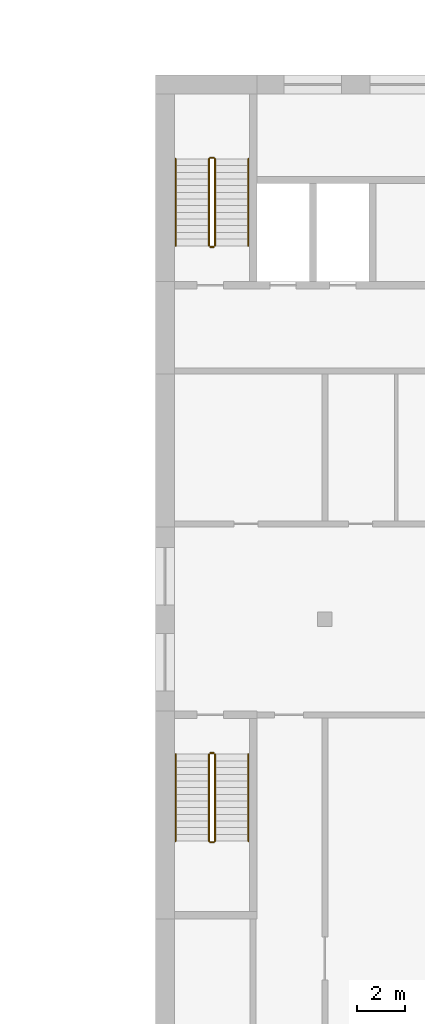
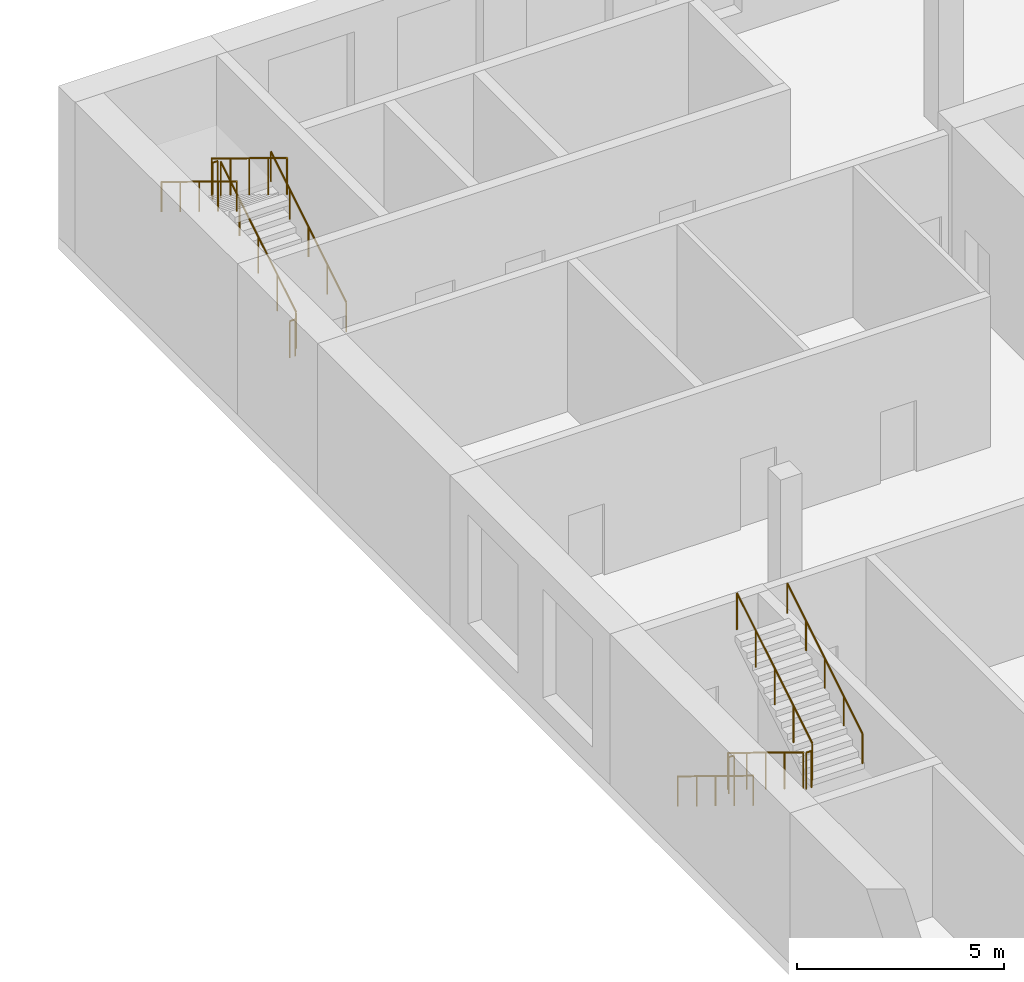
# One storey, part 18 of 27: 12 railings.
"""IFC4 building model written with IfcOpenShell, lengths in metres."""

from ifc_helpers import new_model, si_unit, direction, frame, origin, origin_2d, place, context, subcontext, project, spatial, circle, extrude, material, type_object, element, save


model = new_model("IFC4")

# Units and contexts
model_context = context("Model", 3, precision=1e-05, world=origin(), true_north=direction((0.0, 1.0)))
body_context = subcontext(model_context, "Body", "Model", "MODEL_VIEW")
ifc_project = project(units=[si_unit("LENGTHUNIT", "METRE"), si_unit("AREAUNIT", "SQUARE_METRE"), si_unit("VOLUMEUNIT", "CUBIC_METRE"), si_unit("PLANEANGLEUNIT", "RADIAN"), si_unit("MASSUNIT", "GRAM", prefix="KILO")], contexts=[model_context])

# Site, building, storey
site_placement = place(None, origin())
site = spatial("IfcSite", under=ifc_project, at=site_placement, CompositionType="ELEMENT")
building_placement = place(site_placement, origin())
building = spatial("IfcBuilding", under=site, at=building_placement, Name="Kiln Ring Residences", CompositionType="ELEMENT")
storey_placement = place(building_placement, frame((0.0, 0.0, 6.5)))
storey = spatial("IfcBuildingStorey", under=building, at=storey_placement, Name="L01", CompositionType="ELEMENT", Elevation=6.5)

# Railings
ifc_material_1 = material(Name="Stainless steel", Category="steel")
railing_type_1 = type_object("IfcRailingType", Name="Hall stair guard 1100", PredefinedType="GUARDRAIL", material=ifc_material_1)
railing_1_placement = place(storey_placement, frame((-27.5, -119.550048828125, 0.17138671875)))
element("IfcRailing", 1, at=railing_1_placement, inside=storey, type_object=railing_type_1, Name="L01 HALL.ST1 stair guard 1", PredefinedType="GUARDRAIL", context=body_context, shape_type="SweptSolid", body=[
    extrude(circle(Radius=0.02392578125, at=origin_2d()), frame((0.0, 0.0, 1.076171875), z_axis=(0.0, 0.852865859571, 0.52213008492), x_axis=(-1.0, 0.0, 0.0)), (0.0, 0.0, 1.0), 4.26806640625),
    extrude(circle(Radius=0.02099609375, at=origin_2d()), origin(), (0.0, 0.0, 1.0), 1.052001953125),
    extrude(circle(Radius=0.02099609375, at=origin_2d()), frame((0.0, 0.91015625, 0.55712890625)), (0.0, 0.0, 1.0), 1.052001953125),
    extrude(circle(Radius=0.02099609375, at=origin_2d()), frame((0.0, 1.820068359375, 1.1142578125)), (0.0, 0.0, 1.0), 1.052001953125),
    extrude(circle(Radius=0.02099609375, at=origin_2d()), frame((0.0, 2.72998046875, 1.67138671875)), (0.0, 0.0, 1.0), 1.052001953125),
    extrude(circle(Radius=0.02099609375, at=origin_2d()), frame((0.0, 3.64013671875, 2.228515625)), (0.0, 0.0, 1.0), 1.052001953125),
])
railing_2_placement = place(storey_placement, frame((-27.550048828125, -115.860107421875, 2.39990234375)))
element("IfcRailing", 2, at=railing_2_placement, inside=storey, type_object=railing_type_1, Name="L01 HALL.ST1 stair guard 2", PredefinedType="GUARDRAIL", context=body_context, shape_type="SweptSolid", body=[
    extrude(circle(Radius=0.02392578125, at=origin_2d()), frame((0.0, 0.0, 1.076171875), z_axis=(-1.0, 0.0, 0.0), x_axis=(0.0, -1.0, 0.0)), (0.0, 0.0, 1.0), 0.14990234375),
    extrude(circle(Radius=0.02099609375, at=origin_2d()), origin(), (0.0, 0.0, 1.0), 1.052001953125),
    extrude(circle(Radius=0.02099609375, at=origin_2d()), frame((-0.14990234375, 0.0, 0.0)), (0.0, 0.0, 1.0), 1.052001953125),
])
railing_3_placement = place(storey_placement, frame((-27.75, -115.909912109375, 2.571533203125)))
element("IfcRailing", 3, at=railing_3_placement, inside=storey, type_object=railing_type_1, Name="L01 HALL.ST1 stair guard 3", PredefinedType="GUARDRAIL", context=body_context, shape_type="SweptSolid", body=[
    extrude(circle(Radius=0.02392578125, at=origin_2d()), frame((0.0, 0.0, 1.076171875), z_axis=(0.0, -0.852865859571, 0.52213008492), x_axis=(1.0, 0.0, 0.0)), (0.0, 0.0, 1.0), 4.26806640625),
    extrude(circle(Radius=0.02099609375, at=origin_2d()), origin(), (0.0, 0.0, 1.0), 1.052001953125),
    extrude(circle(Radius=0.02099609375, at=origin_2d()), frame((0.0, -0.91015625, 0.55712890625)), (0.0, 0.0, 1.0), 1.052001953125),
    extrude(circle(Radius=0.02099609375, at=origin_2d()), frame((0.0, -1.820068359375, 1.1142578125)), (0.0, 0.0, 1.0), 1.052001953125),
    extrude(circle(Radius=0.02099609375, at=origin_2d()), frame((0.0, -2.72998046875, 1.67138671875)), (0.0, 0.0, 1.0), 1.052001953125),
    extrude(circle(Radius=0.02099609375, at=origin_2d()), frame((0.0, -3.64013671875, 2.228515625)), (0.0, 0.0, 1.0), 1.052001953125),
])
railing_4_placement = place(storey_placement, frame((-27.550048828125, -119.60009765625, 0.0)))
element("IfcRailing", 4, at=railing_4_placement, inside=storey, type_object=railing_type_1, Name="L01 HALL.ST1 stair guard 4", PredefinedType="GUARDRAIL", context=body_context, shape_type="SweptSolid", body=[
    extrude(circle(Radius=0.02392578125, at=origin_2d()), frame((0.0, 0.0, 1.076171875), z_axis=(-1.0, 0.0, 0.0), x_axis=(0.0, -1.0, 0.0)), (0.0, 0.0, 1.0), 0.14990234375),
    extrude(circle(Radius=0.02099609375, at=origin_2d()), origin(), (0.0, 0.0, 1.0), 1.052001953125),
    extrude(circle(Radius=0.02099609375, at=origin_2d()), frame((-0.14990234375, 0.0, 0.0)), (0.0, 0.0, 1.0), 1.052001953125),
])
railing_5_placement = place(storey_placement, frame((-27.75, -140.85009765625, 0.17138671875)))
element("IfcRailing", 5, at=railing_5_placement, inside=storey, type_object=railing_type_1, Name="L01 HALL.ST3 stair guard 1", PredefinedType="GUARDRAIL", context=body_context, shape_type="SweptSolid", body=[
    extrude(circle(Radius=0.02392578125, at=origin_2d()), frame((0.0, 0.0, 1.076171875), z_axis=(0.0, -0.852850264322, 0.5221555579), x_axis=(1.0, 0.0, 0.0)), (0.0, 0.0, 1.0), 4.267822265625),
    extrude(circle(Radius=0.02099609375, at=origin_2d()), origin(), (0.0, 0.0, 1.0), 1.052001953125),
    extrude(circle(Radius=0.02099609375, at=origin_2d()), frame((0.0, -0.909912109375, 0.55712890625)), (0.0, 0.0, 1.0), 1.052001953125),
    extrude(circle(Radius=0.02099609375, at=origin_2d()), frame((0.0, -1.81982421875, 1.1142578125)), (0.0, 0.0, 1.0), 1.052001953125),
    extrude(circle(Radius=0.02099609375, at=origin_2d()), frame((0.0, -2.72998046875, 1.67138671875)), (0.0, 0.0, 1.0), 1.052001953125),
    extrude(circle(Radius=0.02099609375, at=origin_2d()), frame((0.0, -3.639892578125, 2.228515625)), (0.0, 0.0, 1.0), 1.052001953125),
])
railing_6_placement = place(storey_placement, frame((-27.699951171875, -144.5400390625, 2.39990234375)))
element("IfcRailing", 6, at=railing_6_placement, inside=storey, type_object=railing_type_1, Name="L01 HALL.ST3 stair guard 2", PredefinedType="GUARDRAIL", context=body_context, shape_type="SweptSolid", body=[
    extrude(circle(Radius=0.02392578125, at=origin_2d()), frame((0.0, 0.0, 1.076171875), z_axis=(1.0, 0.0, 0.0), x_axis=(0.0, 1.0, 0.0)), (0.0, 0.0, 1.0), 0.14990234375),
    extrude(circle(Radius=0.02099609375, at=origin_2d()), origin(), (0.0, 0.0, 1.0), 1.052001953125),
    extrude(circle(Radius=0.02099609375, at=origin_2d()), frame((0.14990234375, 0.0, 0.0)), (0.0, 0.0, 1.0), 1.052001953125),
])
railing_7_placement = place(storey_placement, frame((-27.5, -144.489990234375, 2.571533203125)))
element("IfcRailing", 7, at=railing_7_placement, inside=storey, type_object=railing_type_1, Name="L01 HALL.ST3 stair guard 3", PredefinedType="GUARDRAIL", context=body_context, shape_type="SweptSolid", body=[
    extrude(circle(Radius=0.02392578125, at=origin_2d()), frame((0.0, 0.0, 1.076171875), z_axis=(0.0, 0.852850264322, 0.5221555579), x_axis=(-1.0, 0.0, 0.0)), (0.0, 0.0, 1.0), 4.267822265625),
    extrude(circle(Radius=0.02099609375, at=origin_2d()), origin(), (0.0, 0.0, 1.0), 1.052001953125),
    extrude(circle(Radius=0.02099609375, at=origin_2d()), frame((0.0, 0.909912109375, 0.55712890625)), (0.0, 0.0, 1.0), 1.052001953125),
    extrude(circle(Radius=0.02099609375, at=origin_2d()), frame((0.0, 1.81982421875, 1.1142578125)), (0.0, 0.0, 1.0), 1.052001953125),
    extrude(circle(Radius=0.02099609375, at=origin_2d()), frame((0.0, 2.72998046875, 1.67138671875)), (0.0, 0.0, 1.0), 1.052001953125),
    extrude(circle(Radius=0.02099609375, at=origin_2d()), frame((0.0, 3.639892578125, 2.228515625)), (0.0, 0.0, 1.0), 1.052001953125),
])
railing_8_placement = place(storey_placement, frame((-27.699951171875, -140.800048828125, 0.0)))
element("IfcRailing", 8, at=railing_8_placement, inside=storey, type_object=railing_type_1, Name="L01 HALL.ST3 stair guard 4", PredefinedType="GUARDRAIL", context=body_context, shape_type="SweptSolid", body=[
    extrude(circle(Radius=0.02392578125, at=origin_2d()), frame((0.0, 0.0, 1.076171875), z_axis=(1.0, 0.0, 0.0), x_axis=(0.0, 1.0, 0.0)), (0.0, 0.0, 1.0), 0.14990234375),
    extrude(circle(Radius=0.02099609375, at=origin_2d()), origin(), (0.0, 0.0, 1.0), 1.052001953125),
    extrude(circle(Radius=0.02099609375, at=origin_2d()), frame((0.14990234375, 0.0, 0.0)), (0.0, 0.0, 1.0), 1.052001953125),
])
ifc_material_2 = material(Name="Stainless steel", Category="steel")
railing_type_2 = type_object("IfcRailingType", Name="Hall stair handrail 900", PredefinedType="HANDRAIL", material=ifc_material_2)
railing_9_placement = place(storey_placement, frame((-26.10009765625, -119.550048828125, 0.17138671875)))
element("IfcRailing", 9, at=railing_9_placement, inside=storey, type_object=railing_type_2, Name="L01 HALL.ST1 stair handrail 1", PredefinedType="HANDRAIL", context=body_context, shape_type="SweptSolid", body=[
    extrude(circle(Radius=0.02392578125, at=origin_2d()), frame((0.0, 0.0, 0.8759765625), z_axis=(0.0, 0.852865859571, 0.52213008492), x_axis=(-1.0, 0.0, 0.0)), (0.0, 0.0, 1.0), 4.26806640625),
    extrude(circle(Radius=0.02099609375, at=origin_2d()), origin(), (0.0, 0.0, 1.0), 0.851806640625),
    extrude(circle(Radius=0.02099609375, at=origin_2d()), frame((0.0, 0.91015625, 0.55712890625)), (0.0, 0.0, 1.0), 0.851806640625),
    extrude(circle(Radius=0.02099609375, at=origin_2d()), frame((0.0, 1.820068359375, 1.1142578125)), (0.0, 0.0, 1.0), 0.851806640625),
    extrude(circle(Radius=0.02099609375, at=origin_2d()), frame((0.0, 2.72998046875, 1.67138671875)), (0.0, 0.0, 1.0), 0.851806640625),
    extrude(circle(Radius=0.02099609375, at=origin_2d()), frame((0.0, 3.64013671875, 2.228515625)), (0.0, 0.0, 1.0), 0.851806640625),
])
railing_10_placement = place(storey_placement, frame((-29.14990234375, -115.909912109375, 2.571533203125)))
element("IfcRailing", 10, at=railing_10_placement, inside=storey, type_object=railing_type_2, Name="L01 HALL.ST1 stair handrail 2", PredefinedType="HANDRAIL", context=body_context, shape_type="SweptSolid", body=[
    extrude(circle(Radius=0.02392578125, at=origin_2d()), frame((0.0, 0.0, 0.8759765625), z_axis=(0.0, -0.852865859571, 0.52213008492), x_axis=(1.0, 0.0, 0.0)), (0.0, 0.0, 1.0), 4.26806640625),
    extrude(circle(Radius=0.02099609375, at=origin_2d()), origin(), (0.0, 0.0, 1.0), 0.851806640625),
    extrude(circle(Radius=0.02099609375, at=origin_2d()), frame((0.0, -0.91015625, 0.55712890625)), (0.0, 0.0, 1.0), 0.851806640625),
    extrude(circle(Radius=0.02099609375, at=origin_2d()), frame((0.0, -1.820068359375, 1.1142578125)), (0.0, 0.0, 1.0), 0.851806640625),
    extrude(circle(Radius=0.02099609375, at=origin_2d()), frame((0.0, -2.72998046875, 1.67138671875)), (0.0, 0.0, 1.0), 0.851806640625),
    extrude(circle(Radius=0.02099609375, at=origin_2d()), frame((0.0, -3.64013671875, 2.228515625)), (0.0, 0.0, 1.0), 0.851806640625),
])
railing_11_placement = place(storey_placement, frame((-29.14990234375, -140.85009765625, 0.17138671875)))
element("IfcRailing", 11, at=railing_11_placement, inside=storey, type_object=railing_type_2, Name="L01 HALL.ST3 stair handrail 1", PredefinedType="HANDRAIL", context=body_context, shape_type="SweptSolid", body=[
    extrude(circle(Radius=0.02392578125, at=origin_2d()), frame((0.0, 0.0, 0.8759765625), z_axis=(0.0, -0.852850264322, 0.5221555579), x_axis=(1.0, 0.0, 0.0)), (0.0, 0.0, 1.0), 4.267822265625),
    extrude(circle(Radius=0.02099609375, at=origin_2d()), origin(), (0.0, 0.0, 1.0), 0.851806640625),
    extrude(circle(Radius=0.02099609375, at=origin_2d()), frame((0.0, -0.909912109375, 0.55712890625)), (0.0, 0.0, 1.0), 0.851806640625),
    extrude(circle(Radius=0.02099609375, at=origin_2d()), frame((0.0, -1.81982421875, 1.1142578125)), (0.0, 0.0, 1.0), 0.851806640625),
    extrude(circle(Radius=0.02099609375, at=origin_2d()), frame((0.0, -2.72998046875, 1.67138671875)), (0.0, 0.0, 1.0), 0.851806640625),
    extrude(circle(Radius=0.02099609375, at=origin_2d()), frame((0.0, -3.639892578125, 2.228515625)), (0.0, 0.0, 1.0), 0.851806640625),
])
railing_12_placement = place(storey_placement, frame((-26.10009765625, -144.489990234375, 2.571533203125)))
element("IfcRailing", 12, at=railing_12_placement, inside=storey, type_object=railing_type_2, Name="L01 HALL.ST3 stair handrail 2", PredefinedType="HANDRAIL", context=body_context, shape_type="SweptSolid", body=[
    extrude(circle(Radius=0.02392578125, at=origin_2d()), frame((0.0, 0.0, 0.8759765625), z_axis=(0.0, 0.852850264322, 0.5221555579), x_axis=(-1.0, 0.0, 0.0)), (0.0, 0.0, 1.0), 4.267822265625),
    extrude(circle(Radius=0.02099609375, at=origin_2d()), origin(), (0.0, 0.0, 1.0), 0.851806640625),
    extrude(circle(Radius=0.02099609375, at=origin_2d()), frame((0.0, 0.909912109375, 0.55712890625)), (0.0, 0.0, 1.0), 0.851806640625),
    extrude(circle(Radius=0.02099609375, at=origin_2d()), frame((0.0, 1.81982421875, 1.1142578125)), (0.0, 0.0, 1.0), 0.851806640625),
    extrude(circle(Radius=0.02099609375, at=origin_2d()), frame((0.0, 2.72998046875, 1.67138671875)), (0.0, 0.0, 1.0), 0.851806640625),
    extrude(circle(Radius=0.02099609375, at=origin_2d()), frame((0.0, 3.639892578125, 2.228515625)), (0.0, 0.0, 1.0), 0.851806640625),
])

save(model, "model.ifc")
